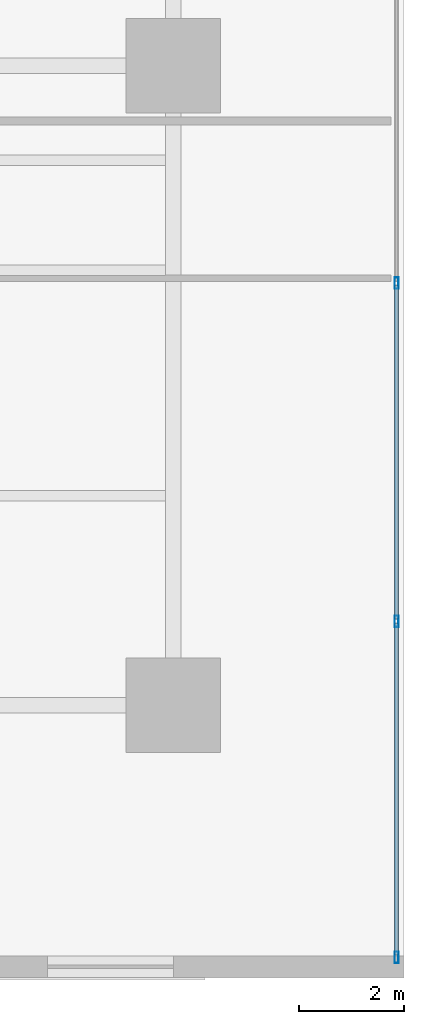
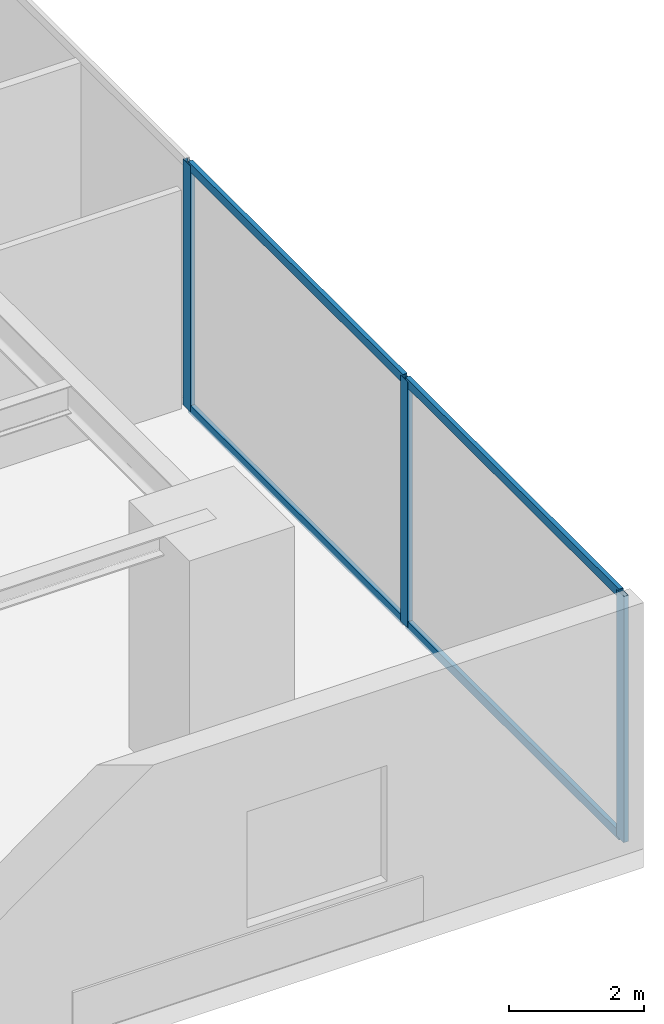
# One storey, part 8 of 16: 7 members, 1 element without a shape of its own.
"""IFC4 building model written with IfcOpenShell, lengths in metres."""

import ifcopenshell
import ifcopenshell.guid

model = None  # the IFC model being written
_history = None  # IfcOwnerHistory: only IFC2X3 demands one
_inside = {}  # id of a spatial element -> (the spatial element, [elements in it])
_under = {}  # id of a project, library or spatial element -> (it, [spatial elements below it])
_declared = {}  # id of a project -> (the project, [libraries it declares])
_typed = {}  # id of a type object -> (the type object, [elements of that type])
_made_of = {}  # id of a material, layer set ... -> (it, [elements and type objects made of it])


def new_model(schema):
    """Start an empty IFC model of exactly this schema.

    Asked for "IFC4X3", IfcOpenShell would pick the latest addendum, in which some entities
    have other attributes; the version numbers below select the first issue.
    IFC2X3 requires an IfcOwnerHistory on every rooted entity: one is made here for all.
    """
    global model, _history
    if schema == "IFC4X3":
        model = ifcopenshell.file(schema_version=(4, 3, 0, 0))
    else:
        model = ifcopenshell.file(schema=schema)
    _inside.clear()
    _under.clear()
    _declared.clear()
    _typed.clear()
    _made_of.clear()
    _history = None
    if model.schema == "IFC2X3":
        org = make("IfcOrganization", Name="unknown")
        user = make(
            "IfcPersonAndOrganization",
            ThePerson=make("IfcPerson", FamilyName="unknown"),
            TheOrganization=org,
        )
        app = make(
            "IfcApplication",
            ApplicationDeveloper=org,
            Version="unknown",
            ApplicationFullName="unknown",
            ApplicationIdentifier="unknown",
        )
        _history = make(
            "IfcOwnerHistory",
            OwningUser=user,
            OwningApplication=app,
            ChangeAction="ADDED",
            CreationDate=0,
        )
    return model


def make(cls, **values):
    """One entity of the class cls with the attributes given. An attribute that is None is left unset."""
    return model.create_entity(
        cls, **{name: value for name, value in values.items() if value is not None}
    )


def rooted(cls, **values):
    """An entity with a GlobalId (a new one), such as an element, a storey or a relation."""
    return make(cls, GlobalId=ifcopenshell.guid.new(), OwnerHistory=_history, **values)


def si_unit(unit_type, name, prefix=None):
    """IfcSIUnit, for example si_unit("LENGTHUNIT", "METRE", prefix="MILLI")."""
    return make("IfcSIUnit", UnitType=unit_type, Prefix=prefix, Name=name)


def assignment(units):
    """IfcUnitAssignment: the units of a project."""
    return None if units is None else make("IfcUnitAssignment", Units=units)


def point(xyz):
    """IfcCartesianPoint."""
    return None if xyz is None else make("IfcCartesianPoint", Coordinates=xyz)


def direction(xyz):
    """IfcDirection."""
    return None if xyz is None else make("IfcDirection", DirectionRatios=xyz)


def frame(location, z_axis=None, x_axis=None):
    """IfcAxis2Placement3D, a coordinate frame: its origin and axes. An axis left out is left unset."""
    return make(
        "IfcAxis2Placement3D",
        Location=point(location),
        Axis=direction(z_axis),
        RefDirection=direction(x_axis),
    )


def frame_2d(location, x_axis=None):
    """IfcAxis2Placement2D, a coordinate frame in the plane: its origin and x axis."""
    return make(
        "IfcAxis2Placement2D", Location=point(location), RefDirection=direction(x_axis)
    )


def origin():
    """The frame at (0, 0, 0) with its axes left unset."""
    return frame((0.0, 0.0, 0.0))


def origin_with_axes():
    """The frame at (0, 0, 0) with the z axis (0, 0, 1) and the x axis (1, 0, 0) written out."""
    return frame((0.0, 0.0, 0.0), z_axis=(0.0, 0.0, 1.0), x_axis=(1.0, 0.0, 0.0))


def origin_2d():
    """The frame at (0, 0) in the plane with its x axis left unset."""
    return frame_2d((0.0, 0.0))


def place(relative_to, where):
    """IfcLocalPlacement: puts the frame where relative to a parent placement (None: the world)."""
    return make(
        "IfcLocalPlacement", PlacementRelTo=relative_to, RelativePlacement=where
    )


def context(
    kind, dimensions, precision=None, world=None, true_north=None, identifier=None
):
    """IfcGeometricRepresentationContext, for example the 3D "Model" context."""
    return make(
        "IfcGeometricRepresentationContext",
        ContextIdentifier=identifier,
        ContextType=kind,
        CoordinateSpaceDimension=dimensions,
        Precision=precision,
        WorldCoordinateSystem=world,
        TrueNorth=true_north,
    )


def subcontext(parent, identifier, kind, view, scale=None):
    """IfcGeometricRepresentationSubContext, for example "Body" below "Model"."""
    return make(
        "IfcGeometricRepresentationSubContext",
        ContextIdentifier=identifier,
        ContextType=kind,
        ParentContext=parent,
        TargetScale=scale,
        TargetView=view,
    )


def project(units=None, contexts=None):
    """IfcProject with its units and contexts."""
    return rooted(
        "IfcProject",
        Name="project",
        RepresentationContexts=contexts,
        UnitsInContext=assignment(units),
    )


def spatial(cls, under=None, at=None, **own):
    """A site, building, storey or space (cls), placed at a placement, below another one or the project."""
    s = rooted(cls, ObjectPlacement=at, **own)
    if under is not None:
        _under.setdefault(under.id(), (under, []))[1].append(s)
    return s


def profile(cls, at=None, kind="AREA", **sizes):
    """A parametric profile (cls). Its sizes go by their IFC names, for example OverallWidth=200.0."""
    return make(cls, ProfileType=kind, Position=at, **sizes)


def hollow_rectangle(**sizes):
    """IfcRectangleHollowProfileDef."""
    return profile("IfcRectangleHollowProfileDef", **sizes)


def extrude(swept, where, along, depth):
    """IfcExtrudedAreaSolid: the profile swept, set in the frame where, extruded along a direction by depth."""
    return make(
        "IfcExtrudedAreaSolid",
        SweptArea=swept,
        Position=where,
        ExtrudedDirection=direction(along),
        Depth=depth,
    )


def shape(context_of_items, identifier, shape_type, items):
    """IfcShapeRepresentation: the items that make up one representation, for example the "Body"."""
    return make(
        "IfcShapeRepresentation",
        ContextOfItems=context_of_items,
        RepresentationIdentifier=identifier,
        RepresentationType=shape_type,
        Items=items,
    )


def source(mapping_origin, context_of_items, identifier, shape_type, items):
    """IfcRepresentationMap: a shape defined once, which mapped items show again and again."""
    return make(
        "IfcRepresentationMap",
        MappingOrigin=mapping_origin,
        MappedRepresentation=shape(context_of_items, identifier, shape_type, items),
    )


def transform(
    local_origin,
    x_axis=None,
    y_axis=None,
    z_axis=None,
    scale=None,
    scale2=None,
    scale3=None,
    uniform=True,
):
    """IfcCartesianTransformationOperator3D, or its non-uniform kind. x_axis, y_axis, z_axis: its Axis1, 2, 3."""
    if uniform:
        return make(
            "IfcCartesianTransformationOperator3D",
            Axis1=direction(x_axis),
            Axis2=direction(y_axis),
            LocalOrigin=point(local_origin),
            Scale=scale,
            Axis3=direction(z_axis),
        )
    return make(
        "IfcCartesianTransformationOperator3DnonUniform",
        Axis1=direction(x_axis),
        Axis2=direction(y_axis),
        LocalOrigin=point(local_origin),
        Scale=scale,
        Axis3=direction(z_axis),
        Scale2=scale2,
        Scale3=scale3,
    )


def mapped(mapping_source, mapping_target):
    """IfcMappedItem: shows the shape of a source again, moved by a transform."""
    return make(
        "IfcMappedItem", MappingSource=mapping_source, MappingTarget=mapping_target
    )


def material(Name=None, Category=None):
    """IfcMaterial."""
    return make("IfcMaterial", Name=Name, Category=Category)


def layer(
    of_material, thickness, ventilated=None, Name=None, Category=None, Priority=None
):
    """IfcMaterialLayer: one layer of a wall or slab, of a material (None: an air gap)."""
    return make(
        "IfcMaterialLayer",
        Material=of_material,
        LayerThickness=thickness,
        IsVentilated=ventilated,
        Name=Name,
        Category=Category,
        Priority=Priority,
    )


def layer_set(layers, Name=None):
    """IfcMaterialLayerSet."""
    return make("IfcMaterialLayerSet", MaterialLayers=layers, LayerSetName=Name)


def material_profile(
    of_material, cross_section, Name=None, Category=None, Priority=None
):
    """IfcMaterialProfile: a cross section and its material."""
    return make(
        "IfcMaterialProfile",
        Name=Name,
        Material=of_material,
        Profile=cross_section,
        Priority=Priority,
        Category=Category,
    )


def profile_set(profiles, Name=None, composite=None):
    """IfcMaterialProfileSet."""
    return make(
        "IfcMaterialProfileSet",
        Name=Name,
        MaterialProfiles=profiles,
        CompositeProfile=composite,
    )


def made_of(thing, what):
    """Note that an element or type object is made of a material, layer set ...; save() writes the relation."""
    if what is not None:
        _made_of.setdefault(what.id(), (what, []))[1].append(thing)
    return thing


def type_object(cls, material=None, **own):
    """A type object (cls), such as IfcWallType, which elements share."""
    return made_of(rooted(cls, **own), material)


def element(
    cls,
    number,
    at=None,
    inside=None,
    cuts=None,
    type_object=None,
    material=None,
    context=None,
    identifier="Body",
    shape_type=None,
    held_by="IfcProductDefinitionShape",
    body=None,
    shapes=None,
    **own,
):
    """One element of the class cls, such as IfcWall. Its Tag is "e" and its number.

    at: its placement. inside: the storey or other place that contains it. cuts: it is an
    opening in that element (IfcRelVoidsElement). A single representation is given by context,
    identifier, shape_type and body (its items); several are given by shapes. held_by: the class
    of the entity that holds the representations. save() writes the other relations.
    """
    e = rooted(cls, Tag="e%d" % number, ObjectPlacement=at, **own)
    if body is not None:
        shapes = [shape(context, identifier, shape_type, body)]
    if shapes is not None:
        e.Representation = make(held_by, Representations=shapes)
    if inside is not None:
        _inside.setdefault(inside.id(), (inside, []))[1].append(e)
    if cuts is not None:
        rooted(
            "IfcRelVoidsElement", RelatingBuildingElement=cuts, RelatedOpeningElement=e
        )
    if type_object is not None:
        _typed.setdefault(type_object.id(), (type_object, []))[1].append(e)
    return made_of(e, material)


def aggregate(whole, parts):
    """IfcRelAggregates: a whole, such as a stair, and the parts it consists of."""
    return rooted("IfcRelAggregates", RelatingObject=whole, RelatedObjects=parts)


def save(model, path):
    """Write the relations noted so far, then the file.

    IfcRelAggregates (storeys below a building ...), IfcRelContainedInSpatialStructure (elements
    in a storey), IfcRelDefinesByType, IfcRelAssociatesMaterial and IfcRelDeclares: one each for
    every whole, place, type object, material and project.
    """
    for whole, parts in _under.values():
        aggregate(whole, parts)
    for where, things in _inside.values():
        rooted(
            "IfcRelContainedInSpatialStructure",
            RelatedElements=things,
            RelatingStructure=where,
        )
    for kind, things in _typed.values():
        rooted("IfcRelDefinesByType", RelatedObjects=things, RelatingType=kind)
    for what, things in _made_of.values():
        rooted("IfcRelAssociatesMaterial", RelatedObjects=things, RelatingMaterial=what)
    for by, libraries in _declared.values():
        rooted("IfcRelDeclares", RelatingContext=by, RelatedDefinitions=libraries)
    model.write(path)


model = new_model("IFC4")

# Units and contexts
model_context = context("Model", 3, precision=1e-05, world=origin(), true_north=direction((0.0, 1.0)))
body_context = subcontext(model_context, "Body", "Model", "MODEL_VIEW")
ifc_project = project(units=[si_unit("LENGTHUNIT", "METRE"), si_unit("AREAUNIT", "SQUARE_METRE"), si_unit("VOLUMEUNIT", "CUBIC_METRE"), si_unit("PLANEANGLEUNIT", "RADIAN"), si_unit("MASSUNIT", "GRAM", prefix="KILO")], contexts=[model_context])

# Site, building, storey
site_placement = place(None, origin())
site = spatial("IfcSite", under=ifc_project, at=site_placement, CompositionType="ELEMENT")
building_placement = place(site_placement, origin())
building = spatial("IfcBuilding", under=site, at=building_placement, Name="Kolvaren Waterfront Exchange", CompositionType="ELEMENT")
storey_placement = place(building_placement, frame((0.0, 0.0, 15.199951171875)))
storey = spatial("IfcBuildingStorey", under=building, at=storey_placement, Name="L04", CompositionType="ELEMENT", Elevation=15.199951171875)

# Curtain wall, members
ifc_material_1 = material(Name="Anodised bronze aluminium 6063-T6", Category="aluminium")
ifc_layer = layer(ifc_material_1, 0.219970703125, Name="Anodised bronze aluminium 6063-T6")
ifc_layer_set = layer_set([ifc_layer], Name="Anodised bronze aluminium 6063-T6")
curtain_wall_type = type_object("IfcCurtainWallType", Name="ARC-CW-SYS4", PredefinedType="USERDEFINED", material=ifc_layer_set)
curtain_wall_placement = place(storey_placement, origin())
curtain_wall = element("IfcCurtainWall", 1, at=curtain_wall_placement, inside=storey, type_object=curtain_wall_type, Name="L04 stick curtain wall CW4 (CW-L04-E1)", ObjectType="STICK CURTAIN WALL", PredefinedType="USERDEFINED")
ifc_material_2 = material(Name="Anodised aluminium 6063-T6", Category="aluminium")
ifc_material_profile_1 = material_profile(ifc_material_2, hollow_rectangle(XDim=0.080078125, YDim=0.219970703125, WallThickness=0.0048828125, at=origin_2d()), Name="ALU-MUL-220x80x5")
ifc_profile_set_1 = profile_set([ifc_material_profile_1], Name="Anodised aluminium 6063-T6")
member_type_1 = type_object("IfcMemberType", Name="ARC-CWM-220", PredefinedType="MULLION", material=ifc_profile_set_1)
shared_shape_1 = source(origin_with_axes(), body_context, "Body", "SweptSolid", [
    extrude(hollow_rectangle(XDim=0.080078125, YDim=0.219970703125, WallThickness=0.0048828125, at=origin_2d()), origin(), (0.0, 0.0, 1.0), 4.4599609375),
])
member_1_placement = place(storey_placement, frame((64.659912109375, 0.389892578125, 0.0), z_axis=(0.0, 0.0, 1.0), x_axis=(-1.0, 0.0, 0.0)))
member_1 = element("IfcMember", 2, at=member_1_placement, type_object=member_type_1, Name="CW4 mullion 1", PredefinedType="MULLION", context=body_context, shape_type="MappedRepresentation", body=[
    mapped(shared_shape_1, transform((0.0, 0.0, 0.0), x_axis=(1.0, 0.0, 0.0), y_axis=(0.0, 1.0, 0.0), z_axis=(0.0, 0.0, 1.0), scale=1.0)),
])
member_2_placement = place(storey_placement, frame((64.659912109375, 6.8017578125, 0.0), z_axis=(0.0, 0.0, 1.0), x_axis=(-1.0, 0.0, 0.0)))
member_2 = element("IfcMember", 3, at=member_2_placement, type_object=member_type_1, Name="CW4 mullion 2", PredefinedType="MULLION", context=body_context, shape_type="MappedRepresentation", body=[
    mapped(shared_shape_1, transform((0.0, 0.0, 0.0), x_axis=(1.0, 0.0, 0.0), y_axis=(0.0, 1.0, 0.0), z_axis=(0.0, 0.0, 1.0), scale=1.0)),
])
member_3_placement = place(storey_placement, frame((64.659912109375, 13.25341796875, 0.0), z_axis=(0.0, 0.0, 1.0), x_axis=(-1.0, 0.0, 0.0)))
member_3 = element("IfcMember", 4, at=member_3_placement, type_object=member_type_1, Name="CW4 mullion 3", PredefinedType="MULLION", context=body_context, shape_type="MappedRepresentation", body=[
    mapped(shared_shape_1, transform((0.0, 0.0, 0.0), x_axis=(1.0, 0.0, 0.0), y_axis=(0.0, 1.0, 0.0), z_axis=(0.0, 0.0, 1.0), scale=1.0)),
])
ifc_material_profile_2 = material_profile(ifc_material_2, hollow_rectangle(XDim=0.074951171875, YDim=0.159912109375, WallThickness=0.00439453125, at=origin_2d()), Name="ALU-TRN-160x75x4.5")
ifc_profile_set_2 = profile_set([ifc_material_profile_2], Name="Anodised aluminium 6063-T6")
member_type_2 = type_object("IfcMemberType", Name="ARC-CWT-160", PredefinedType="USERDEFINED", material=ifc_profile_set_2)
shared_shape_2 = source(origin_with_axes(), body_context, "Body", "SweptSolid", [
    extrude(hollow_rectangle(XDim=0.074951171875, YDim=0.159912109375, WallThickness=0.00439453125, at=origin_2d()), origin(), (0.0, 0.0, 1.0), 6.331787109375),
])
member_4_placement = place(storey_placement, frame((64.659912109375, 0.429931640625, 0.03759765625), z_axis=(0.0, 1.0, 0.0), x_axis=(-1.0, 0.0, 0.0)))
member_4 = element("IfcMember", 5, at=member_4_placement, type_object=member_type_2, Name="CW4 transom 1.1", ObjectType="TRANSOM", PredefinedType="USERDEFINED", context=body_context, shape_type="MappedRepresentation", body=[
    mapped(shared_shape_2, transform((0.0, 0.0, 0.0), x_axis=(1.0, 0.0, 0.0), y_axis=(0.0, 1.0, 0.0), z_axis=(0.0, 0.0, 1.0), scale=1.0)),
])
member_5_placement = place(storey_placement, frame((64.659912109375, 0.429931640625, 4.422607421875), z_axis=(0.0, 1.0, 0.0), x_axis=(-1.0, 0.0, 0.0)))
member_5 = element("IfcMember", 6, at=member_5_placement, type_object=member_type_2, Name="CW4 transom 1.2", ObjectType="TRANSOM", PredefinedType="USERDEFINED", context=body_context, shape_type="MappedRepresentation", body=[
    mapped(shared_shape_2, transform((0.0, 0.0, 0.0), x_axis=(1.0, 0.0, 0.0), y_axis=(0.0, 1.0, 0.0), z_axis=(0.0, 0.0, 1.0), scale=1.0)),
])
shared_shape_3 = source(origin_with_axes(), body_context, "Body", "SweptSolid", [
    extrude(hollow_rectangle(XDim=0.074951171875, YDim=0.159912109375, WallThickness=0.00439453125, at=origin_2d()), origin(), (0.0, 0.0, 1.0), 6.371826171875),
])
member_6_placement = place(storey_placement, frame((64.659912109375, 6.841552734375, 0.03759765625), z_axis=(0.0, 1.0, 0.0), x_axis=(-1.0, 0.0, 0.0)))
member_6 = element("IfcMember", 7, at=member_6_placement, type_object=member_type_2, Name="CW4 transom 2.1", ObjectType="TRANSOM", PredefinedType="USERDEFINED", context=body_context, shape_type="MappedRepresentation", body=[
    mapped(shared_shape_3, transform((0.0, 0.0, 0.0), x_axis=(1.0, 0.0, 0.0), y_axis=(0.0, 1.0, 0.0), z_axis=(0.0, 0.0, 1.0), scale=1.0)),
])
member_7_placement = place(storey_placement, frame((64.659912109375, 6.841552734375, 4.422607421875), z_axis=(0.0, 1.0, 0.0), x_axis=(-1.0, 0.0, 0.0)))
member_7 = element("IfcMember", 8, at=member_7_placement, type_object=member_type_2, Name="CW4 transom 2.2", ObjectType="TRANSOM", PredefinedType="USERDEFINED", context=body_context, shape_type="MappedRepresentation", body=[
    mapped(shared_shape_3, transform((0.0, 0.0, 0.0), x_axis=(1.0, 0.0, 0.0), y_axis=(0.0, 1.0, 0.0), z_axis=(0.0, 0.0, 1.0), scale=1.0)),
])
aggregate(curtain_wall, [member_1, member_2, member_3, member_4, member_5, member_6, member_7])

save(model, "model.ifc")
